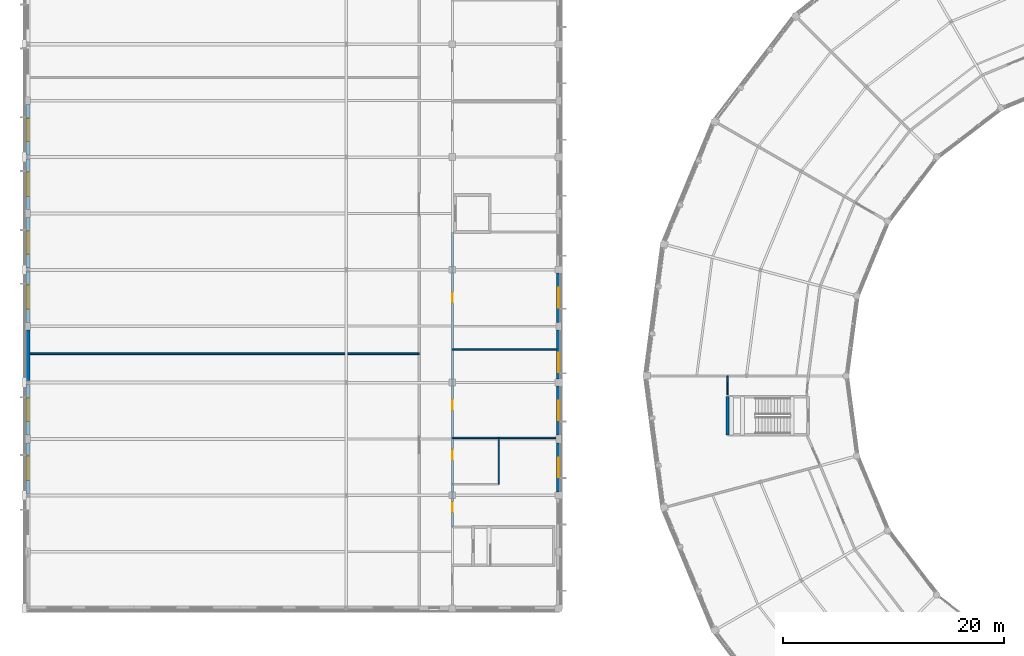
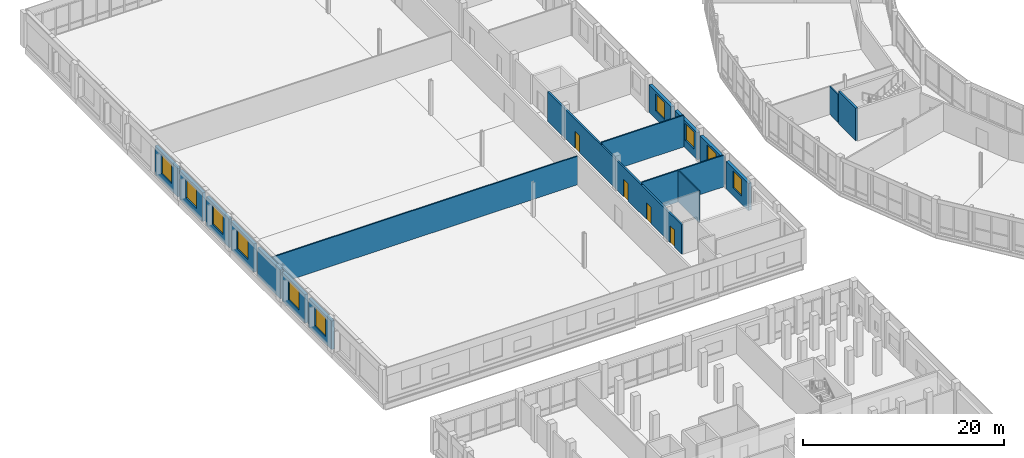
# One storey, part 160 of 185: 18 walls, 10 windows, 4 doors, 14 openings.
"""IFC4 building model written with IfcOpenShell, lengths in metres."""

from ifc_helpers import new_model, si_unit, direction, frame, frame_2d, origin, place, context, subcontext, project, spatial, rectangle, extrude, material, layer, layer_set, type_object, element, fill, save


model = new_model("IFC4")

# Units and contexts
model_context = context("Model", 3, precision=1e-05, world=origin(), true_north=direction((0.0, 1.0)))
body_context = subcontext(model_context, "Body", "Model", "MODEL_VIEW")
ifc_project = project(units=[si_unit("LENGTHUNIT", "METRE"), si_unit("AREAUNIT", "SQUARE_METRE"), si_unit("VOLUMEUNIT", "CUBIC_METRE"), si_unit("PLANEANGLEUNIT", "RADIAN"), si_unit("MASSUNIT", "GRAM", prefix="KILO")], contexts=[model_context])

# Site, building, storey
site_placement = place(None, origin())
site = spatial("IfcSite", under=ifc_project, at=site_placement, CompositionType="ELEMENT")
building_placement = place(site_placement, origin())
building = spatial("IfcBuilding", under=site, at=building_placement, Name="Vondelvale Polytechnic", CompositionType="ELEMENT")
storey_placement = place(building_placement, frame((0.0, 0.0, 9.60009765625)))
storey = spatial("IfcBuildingStorey", under=building, at=storey_placement, Name="L02", CompositionType="ELEMENT", Elevation=9.60009765625)

# Wall, opening, window
ifc_material_1 = material(Name="Amsterdam School iron-spot clinker clay brickwork", Category="masonry")
ifc_layer_1 = layer(ifc_material_1, 0.35009765625)
ifc_layer_set_1 = layer_set([ifc_layer_1], Name="WL-BRICK-350")
wall_type_1 = type_object("IfcWallType", Name="WL-BRICK-350", PredefinedType="SOLIDWALL", material=ifc_layer_set_1)
wall_1_placement = place(storey_placement, frame((0.0, 61.364501953125, 0.0), z_axis=(0.0, 0.0, 1.0), x_axis=(0.0, 1.0, 0.0)))
wall_1 = element("IfcWall", 1, at=wall_1_placement, inside=storey, type_object=wall_type_1, Name="L02 exterior masonry facade wall", PredefinedType="SOLIDWALL", context=body_context, shape_type="SweptSolid", body=[
    extrude(rectangle(XDim=4.58447265625, YDim=0.35009765625, at=frame_2d((2.292236328125, 0.0))), origin(), (0.0, 0.0, 1.0), 3.47998046875),
])
opening_1_placement = place(wall_1_placement, frame((1.1923828125, 0.0, 0.85009765625)))
opening_1 = element("IfcOpeningElement", 2, at=opening_1_placement, cuts=wall_1, Name="Opening WN-0082", PredefinedType="OPENING", context=body_context, shape_type="SweptSolid", body=[
    extrude(rectangle(XDim=2.199951171875, YDim=2.300048828125, at=frame_2d((1.10009765625, 1.14990234375))), frame((0.0, 0.18505859375, 0.0), z_axis=(0.0, -1.0, 0.0), x_axis=(1.0, 0.0, 0.0)), (0.0, 0.0, 1.0), 0.3701171875),
])
ifc_material_2 = material(Name="Double-glazed low-E insulated architectural glass", Category="glass")
window_type_1 = type_object("IfcWindowType", Name="WN-STUDIO-2200x2300", PartitioningType="SINGLE_PANEL", PredefinedType="WINDOW", material=ifc_material_2)
window_1_placement = place(opening_1_placement, origin())
window_1 = element("IfcWindow", 3, at=window_1_placement, inside=storey, type_object=window_type_1, Name="L02 double-glazed architectural window WN-0082", OverallHeight=2.300048828125, OverallWidth=2.199951171875, PartitioningType="SINGLE_PANEL", PredefinedType="WINDOW", context=body_context, shape_type="SweptSolid", body=[
    extrude(rectangle(XDim=2.199951171875, YDim=2.300048828125, at=frame_2d((1.10009765625, 1.14990234375))), frame((0.0, 0.030029296875, 0.0), z_axis=(0.0, -1.0, 0.0), x_axis=(1.0, 0.0, 0.0)), (0.0, 0.0, 1.0), 0.06005859375),
])
fill(opening_1, window_1)

wall_2_placement = place(storey_placement, frame((0.0, 66.65087890625, 0.0), z_axis=(0.0, 0.0, 1.0), x_axis=(0.0, 1.0, 0.0)))
wall_2 = element("IfcWall", 4, at=wall_2_placement, inside=storey, type_object=wall_type_1, Name="L02 exterior masonry facade wall", PredefinedType="SOLIDWALL", context=body_context, shape_type="SweptSolid", body=[
    extrude(rectangle(XDim=4.584716796875, YDim=0.35009765625, at=frame_2d((2.29248046875, 0.0))), origin(), (0.0, 0.0, 1.0), 3.47998046875),
])
opening_2_placement = place(wall_2_placement, frame((1.2421875, 0.0, 0.85009765625)))
opening_2 = element("IfcOpeningElement", 5, at=opening_2_placement, cuts=wall_2, Name="Opening WN-0083", PredefinedType="OPENING", context=body_context, shape_type="SweptSolid", body=[
    extrude(rectangle(XDim=2.10009765625, YDim=2.39990234375, at=frame_2d((1.050048828125, 1.199951171875))), frame((0.0, 0.18505859375, 0.0), z_axis=(0.0, -1.0, 0.0), x_axis=(1.0, 0.0, 0.0)), (0.0, 0.0, 1.0), 0.3701171875),
])
window_type_2 = type_object("IfcWindowType", Name="WN-STUDIO-2100x2400", PartitioningType="SINGLE_PANEL", PredefinedType="WINDOW", material=ifc_material_2)
window_2_placement = place(opening_2_placement, origin())
window_2 = element("IfcWindow", 6, at=window_2_placement, inside=storey, type_object=window_type_2, Name="L02 double-glazed architectural window WN-0083", OverallHeight=2.39990234375, OverallWidth=2.10009765625, PartitioningType="SINGLE_PANEL", PredefinedType="WINDOW", context=body_context, shape_type="SweptSolid", body=[
    extrude(rectangle(XDim=2.10009765625, YDim=2.39990234375, at=frame_2d((1.050048828125, 1.199951171875))), frame((0.0, 0.030029296875, 0.0), z_axis=(0.0, -1.0, 0.0), x_axis=(1.0, 0.0, 0.0)), (0.0, 0.0, 1.0), 0.06005859375),
])
fill(opening_2, window_2)

# Wall
wall_3_placement = place(storey_placement, frame((0.0, 71.564453125, 0.0), z_axis=(0.0, 0.0, 1.0), x_axis=(0.0, 1.0, 0.0)))
element("IfcWall", 7, at=wall_3_placement, inside=storey, type_object=wall_type_1, Name="L02 exterior masonry facade wall", PredefinedType="SOLIDWALL", context=body_context, shape_type="SweptSolid", body=[
    extrude(rectangle(XDim=4.58447265625, YDim=0.35009765625, at=frame_2d((2.292236328125, 0.0))), origin(), (0.0, 0.0, 1.0), 3.47998046875),
])

# Wall, opening, window
wall_4_placement = place(storey_placement, frame((0.0, 76.85107421875, 0.0), z_axis=(0.0, 0.0, 1.0), x_axis=(0.0, 1.0, 0.0)))
wall_4 = element("IfcWall", 8, at=wall_4_placement, inside=storey, type_object=wall_type_1, Name="L02 exterior masonry facade wall", PredefinedType="SOLIDWALL", context=body_context, shape_type="SweptSolid", body=[
    extrude(rectangle(XDim=4.58447265625, YDim=0.35009765625, at=frame_2d((2.292236328125, 0.0))), origin(), (0.0, 0.0, 1.0), 3.47998046875),
])
opening_3_placement = place(wall_4_placement, frame((1.1923828125, 0.0, 0.85009765625)))
opening_3 = element("IfcOpeningElement", 9, at=opening_3_placement, cuts=wall_4, Name="Opening WN-0084", PredefinedType="OPENING", context=body_context, shape_type="SweptSolid", body=[
    extrude(rectangle(XDim=2.199951171875, YDim=2.300048828125, at=frame_2d((1.10009765625, 1.14990234375))), frame((0.0, 0.18505859375, 0.0), z_axis=(0.0, -1.0, 0.0), x_axis=(1.0, 0.0, 0.0)), (0.0, 0.0, 1.0), 0.3701171875),
])
window_3_placement = place(opening_3_placement, origin())
window_3 = element("IfcWindow", 10, at=window_3_placement, inside=storey, type_object=window_type_1, Name="L02 double-glazed architectural window WN-0084", OverallHeight=2.300048828125, OverallWidth=2.199951171875, PartitioningType="SINGLE_PANEL", PredefinedType="WINDOW", context=body_context, shape_type="SweptSolid", body=[
    extrude(rectangle(XDim=2.199951171875, YDim=2.300048828125, at=frame_2d((1.10009765625, 1.14990234375))), frame((0.0, 0.030029296875, 0.0), z_axis=(0.0, -1.0, 0.0), x_axis=(1.0, 0.0, 0.0)), (0.0, 0.0, 1.0), 0.06005859375),
])
fill(opening_3, window_3)

wall_5_placement = place(storey_placement, frame((0.0, 81.764404296875, 0.0), z_axis=(0.0, 0.0, 1.0), x_axis=(0.0, 1.0, 0.0)))
wall_5 = element("IfcWall", 11, at=wall_5_placement, inside=storey, type_object=wall_type_1, Name="L02 exterior masonry facade wall", PredefinedType="SOLIDWALL", context=body_context, shape_type="SweptSolid", body=[
    extrude(rectangle(XDim=4.584716796875, YDim=0.35009765625, at=frame_2d((2.29248046875, 0.0))), origin(), (0.0, 0.0, 1.0), 3.47998046875),
])
opening_4_placement = place(wall_5_placement, frame((1.2421875, 0.0, 0.85009765625)))
opening_4 = element("IfcOpeningElement", 12, at=opening_4_placement, cuts=wall_5, Name="Opening WN-0085", PredefinedType="OPENING", context=body_context, shape_type="SweptSolid", body=[
    extrude(rectangle(XDim=2.10009765625, YDim=2.39990234375, at=frame_2d((1.050048828125, 1.199951171875))), frame((0.0, 0.18505859375, 0.0), z_axis=(0.0, -1.0, 0.0), x_axis=(1.0, 0.0, 0.0)), (0.0, 0.0, 1.0), 0.3701171875),
])
window_4_placement = place(opening_4_placement, origin())
window_4 = element("IfcWindow", 13, at=window_4_placement, inside=storey, type_object=window_type_2, Name="L02 double-glazed architectural window WN-0085", OverallHeight=2.39990234375, OverallWidth=2.10009765625, PartitioningType="SINGLE_PANEL", PredefinedType="WINDOW", context=body_context, shape_type="SweptSolid", body=[
    extrude(rectangle(XDim=2.10009765625, YDim=2.39990234375, at=frame_2d((1.050048828125, 1.199951171875))), frame((0.0, 0.030029296875, 0.0), z_axis=(0.0, -1.0, 0.0), x_axis=(1.0, 0.0, 0.0)), (0.0, 0.0, 1.0), 0.06005859375),
])
fill(opening_4, window_4)

wall_6_placement = place(storey_placement, frame((0.0, 87.051025390625, 0.0), z_axis=(0.0, 0.0, 1.0), x_axis=(0.0, 1.0, 0.0)))
wall_6 = element("IfcWall", 14, at=wall_6_placement, inside=storey, type_object=wall_type_1, Name="L02 exterior masonry facade wall", PredefinedType="SOLIDWALL", context=body_context, shape_type="SweptSolid", body=[
    extrude(rectangle(XDim=4.58447265625, YDim=0.35009765625, at=frame_2d((2.292236328125, 0.0))), origin(), (0.0, 0.0, 1.0), 3.47998046875),
])
opening_5_placement = place(wall_6_placement, frame((1.1923828125, 0.0, 0.85009765625)))
opening_5 = element("IfcOpeningElement", 15, at=opening_5_placement, cuts=wall_6, Name="Opening WN-0086", PredefinedType="OPENING", context=body_context, shape_type="SweptSolid", body=[
    extrude(rectangle(XDim=2.199951171875, YDim=2.300048828125, at=frame_2d((1.10009765625, 1.14990234375))), frame((0.0, 0.18505859375, 0.0), z_axis=(0.0, -1.0, 0.0), x_axis=(1.0, 0.0, 0.0)), (0.0, 0.0, 1.0), 0.3701171875),
])
window_5_placement = place(opening_5_placement, origin())
window_5 = element("IfcWindow", 16, at=window_5_placement, inside=storey, type_object=window_type_1, Name="L02 double-glazed architectural window WN-0086", OverallHeight=2.300048828125, OverallWidth=2.199951171875, PartitioningType="SINGLE_PANEL", PredefinedType="WINDOW", context=body_context, shape_type="SweptSolid", body=[
    extrude(rectangle(XDim=2.199951171875, YDim=2.300048828125, at=frame_2d((1.10009765625, 1.14990234375))), frame((0.0, 0.030029296875, 0.0), z_axis=(0.0, -1.0, 0.0), x_axis=(1.0, 0.0, 0.0)), (0.0, 0.0, 1.0), 0.06005859375),
])
fill(opening_5, window_5)

wall_7_placement = place(storey_placement, frame((0.0, 91.964599609375, 0.0), z_axis=(0.0, 0.0, 1.0), x_axis=(0.0, 1.0, 0.0)))
wall_7 = element("IfcWall", 17, at=wall_7_placement, inside=storey, type_object=wall_type_1, Name="L02 exterior masonry facade wall", PredefinedType="SOLIDWALL", context=body_context, shape_type="SweptSolid", body=[
    extrude(rectangle(XDim=4.58447265625, YDim=0.35009765625, at=frame_2d((2.292236328125, 0.0))), origin(), (0.0, 0.0, 1.0), 3.47998046875),
])
opening_6_placement = place(wall_7_placement, frame((1.2421875, 0.0, 0.85009765625)))
opening_6 = element("IfcOpeningElement", 18, at=opening_6_placement, cuts=wall_7, Name="Opening WN-0087", PredefinedType="OPENING", context=body_context, shape_type="SweptSolid", body=[
    extrude(rectangle(XDim=2.10009765625, YDim=2.39990234375, at=frame_2d((1.050048828125, 1.199951171875))), frame((0.0, 0.18505859375, 0.0), z_axis=(0.0, -1.0, 0.0), x_axis=(1.0, 0.0, 0.0)), (0.0, 0.0, 1.0), 0.3701171875),
])
window_6_placement = place(opening_6_placement, origin())
window_6 = element("IfcWindow", 19, at=window_6_placement, inside=storey, type_object=window_type_2, Name="L02 double-glazed architectural window WN-0087", OverallHeight=2.39990234375, OverallWidth=2.10009765625, PartitioningType="SINGLE_PANEL", PredefinedType="WINDOW", context=body_context, shape_type="SweptSolid", body=[
    extrude(rectangle(XDim=2.10009765625, YDim=2.39990234375, at=frame_2d((1.050048828125, 1.199951171875))), frame((0.0, 0.030029296875, 0.0), z_axis=(0.0, -1.0, 0.0), x_axis=(1.0, 0.0, 0.0)), (0.0, 0.0, 1.0), 0.06005859375),
])
fill(opening_6, window_6)

wall_8_placement = place(storey_placement, frame((48.0, 65.948974609375, 0.0), z_axis=(0.0, 0.0, 1.0), x_axis=(0.0, -1.0, 0.0)))
wall_8 = element("IfcWall", 20, at=wall_8_placement, inside=storey, type_object=wall_type_1, Name="L02 exterior masonry facade wall", PredefinedType="SOLIDWALL", context=body_context, shape_type="SweptSolid", body=[
    extrude(rectangle(XDim=4.447998046875, YDim=0.35009765625, at=frame_2d((2.22412109375, 0.0))), origin(), (0.0, 0.0, 1.0), 3.31982421875),
])
opening_7_placement = place(wall_8_placement, frame((1.34912109375, 0.0, 0.949951171875)))
opening_7 = element("IfcOpeningElement", 21, at=opening_7_placement, cuts=wall_8, Name="Opening WN-0094", PredefinedType="OPENING", context=body_context, shape_type="SweptSolid", body=[
    extrude(rectangle(XDim=1.75, YDim=2.050048828125, at=frame_2d((0.875, 1.02490234375))), frame((0.0, 0.18505859375, 0.0), z_axis=(0.0, -1.0, 0.0), x_axis=(1.0, 0.0, 0.0)), (0.0, 0.0, 1.0), 0.3701171875),
])
window_type_3 = type_object("IfcWindowType", Name="WN-LAB-1750x2050", PartitioningType="SINGLE_PANEL", PredefinedType="WINDOW", material=ifc_material_2)
window_7_placement = place(opening_7_placement, origin())
window_7 = element("IfcWindow", 22, at=window_7_placement, inside=storey, type_object=window_type_3, Name="L02 double-glazed architectural window WN-0094", OverallHeight=2.050048828125, OverallWidth=1.75, PartitioningType="SINGLE_PANEL", PredefinedType="WINDOW", context=body_context, shape_type="SweptSolid", body=[
    extrude(rectangle(XDim=1.75, YDim=2.050048828125, at=frame_2d((0.875, 1.02490234375))), frame((0.0, 0.030029296875, 0.0), z_axis=(0.0, -1.0, 0.0), x_axis=(1.0, 0.0, 0.0)), (0.0, 0.0, 1.0), 0.06005859375),
])
fill(opening_7, window_7)

wall_9_placement = place(storey_placement, frame((48.0, 71.09912109375, 0.0), z_axis=(0.0, 0.0, 1.0), x_axis=(0.0, -1.0, 0.0)))
wall_9 = element("IfcWall", 23, at=wall_9_placement, inside=storey, type_object=wall_type_1, Name="L02 exterior masonry facade wall", PredefinedType="SOLIDWALL", context=body_context, shape_type="SweptSolid", body=[
    extrude(rectangle(XDim=4.4482421875, YDim=0.35009765625, at=frame_2d((2.22412109375, 0.0))), origin(), (0.0, 0.0, 1.0), 3.31982421875),
])
opening_8_placement = place(wall_9_placement, frame((1.323974609375, 0.0, 0.949951171875)))
opening_8 = element("IfcOpeningElement", 24, at=opening_8_placement, cuts=wall_9, Name="Opening WN-0095", PredefinedType="OPENING", context=body_context, shape_type="SweptSolid", body=[
    extrude(rectangle(XDim=1.800048828125, YDim=2.10009765625, at=frame_2d((0.89990234375, 1.050048828125))), frame((0.0, 0.18505859375, 0.0), z_axis=(0.0, -1.0, 0.0), x_axis=(1.0, 0.0, 0.0)), (0.0, 0.0, 1.0), 0.3701171875),
])
window_type_4 = type_object("IfcWindowType", Name="WN-LAB-1800x2100", PartitioningType="SINGLE_PANEL", PredefinedType="WINDOW", material=ifc_material_2)
window_8_placement = place(opening_8_placement, origin())
window_8 = element("IfcWindow", 25, at=window_8_placement, inside=storey, type_object=window_type_4, Name="L02 double-glazed architectural window WN-0095", OverallHeight=2.10009765625, OverallWidth=1.800048828125, PartitioningType="SINGLE_PANEL", PredefinedType="WINDOW", context=body_context, shape_type="SweptSolid", body=[
    extrude(rectangle(XDim=1.800048828125, YDim=2.10009765625, at=frame_2d((0.89990234375, 1.050048828125))), frame((0.0, 0.030029296875, 0.0), z_axis=(0.0, -1.0, 0.0), x_axis=(1.0, 0.0, 0.0)), (0.0, 0.0, 1.0), 0.06005859375),
])
fill(opening_8, window_8)

wall_10_placement = place(storey_placement, frame((48.0, 76.14892578125, 0.0), z_axis=(0.0, 0.0, 1.0), x_axis=(0.0, -1.0, 0.0)))
wall_10 = element("IfcWall", 26, at=wall_10_placement, inside=storey, type_object=wall_type_1, Name="L02 exterior masonry facade wall", PredefinedType="SOLIDWALL", context=body_context, shape_type="SweptSolid", body=[
    extrude(rectangle(XDim=4.447998046875, YDim=0.35009765625, at=frame_2d((2.22412109375, 0.0))), origin(), (0.0, 0.0, 1.0), 3.31982421875),
])
opening_9_placement = place(wall_10_placement, frame((2.069091796875, 0.0, 0.949951171875)))
opening_9 = element("IfcOpeningElement", 27, at=opening_9_placement, cuts=wall_10, Name="Opening WN-0096", PredefinedType="OPENING", context=body_context, shape_type="SweptSolid", body=[
    extrude(rectangle(XDim=1.75, YDim=2.050048828125, at=frame_2d((0.875, 1.02490234375))), frame((0.0, 0.18505859375, 0.0), z_axis=(0.0, -1.0, 0.0), x_axis=(1.0, 0.0, 0.0)), (0.0, 0.0, 1.0), 0.3701171875),
])
window_9_placement = place(opening_9_placement, origin())
window_9 = element("IfcWindow", 28, at=window_9_placement, inside=storey, type_object=window_type_3, Name="L02 double-glazed architectural window WN-0096", OverallHeight=2.050048828125, OverallWidth=1.75, PartitioningType="SINGLE_PANEL", PredefinedType="WINDOW", context=body_context, shape_type="SweptSolid", body=[
    extrude(rectangle(XDim=1.75, YDim=2.050048828125, at=frame_2d((0.875, 1.02490234375))), frame((0.0, 0.030029296875, 0.0), z_axis=(0.0, -1.0, 0.0), x_axis=(1.0, 0.0, 0.0)), (0.0, 0.0, 1.0), 0.06005859375),
])
fill(opening_9, window_9)

wall_11_placement = place(storey_placement, frame((48.0, 81.299072265625, 0.0), z_axis=(0.0, 0.0, 1.0), x_axis=(0.0, -1.0, 0.0)))
wall_11 = element("IfcWall", 29, at=wall_11_placement, inside=storey, type_object=wall_type_1, Name="L02 exterior masonry facade wall", PredefinedType="SOLIDWALL", context=body_context, shape_type="SweptSolid", body=[
    extrude(rectangle(XDim=4.447998046875, YDim=0.35009765625, at=frame_2d((2.22412109375, 0.0))), origin(), (0.0, 0.0, 1.0), 3.31982421875),
])
opening_10_placement = place(wall_11_placement, frame((1.323974609375, 0.0, 0.949951171875)))
opening_10 = element("IfcOpeningElement", 30, at=opening_10_placement, cuts=wall_11, Name="Opening WN-0097", PredefinedType="OPENING", context=body_context, shape_type="SweptSolid", body=[
    extrude(rectangle(XDim=1.800048828125, YDim=2.10009765625, at=frame_2d((0.89990234375, 1.050048828125))), frame((0.0, 0.18505859375, 0.0), z_axis=(0.0, -1.0, 0.0), x_axis=(1.0, 0.0, 0.0)), (0.0, 0.0, 1.0), 0.3701171875),
])
window_10_placement = place(opening_10_placement, origin())
window_10 = element("IfcWindow", 31, at=window_10_placement, inside=storey, type_object=window_type_4, Name="L02 double-glazed architectural window WN-0097", OverallHeight=2.10009765625, OverallWidth=1.800048828125, PartitioningType="SINGLE_PANEL", PredefinedType="WINDOW", context=body_context, shape_type="SweptSolid", body=[
    extrude(rectangle(XDim=1.800048828125, YDim=2.10009765625, at=frame_2d((0.89990234375, 1.050048828125))), frame((0.0, 0.030029296875, 0.0), z_axis=(0.0, -1.0, 0.0), x_axis=(1.0, 0.0, 0.0)), (0.0, 0.0, 1.0), 0.06005859375),
])
fill(opening_10, window_10)

# Wall
ifc_material_3 = material(Name="Concrete N40 (f'c = 40 MPa)", Category="concrete")
ifc_layer_2 = layer(ifc_material_3, 0.25)
ifc_layer_set_2 = layer_set([ifc_layer_2], Name="WL-CORE-250")
wall_type_2 = type_object("IfcWallType", Name="WL-CORE-250", PredefinedType="SOLIDWALL", material=ifc_layer_set_2)
wall_12_placement = place(storey_placement, frame((63.27490234375, 70.125, 0.0), z_axis=(0.0, 0.0, 1.0), x_axis=(0.0, -1.0, 0.0)))
element("IfcWall", 32, at=wall_12_placement, inside=storey, type_object=wall_type_2, Name="L02 ST-10 reinforced concrete stair core wall", PredefinedType="SOLIDWALL", context=body_context, shape_type="SweptSolid", body=[
    extrude(rectangle(XDim=3.449951171875, YDim=0.25, at=frame_2d((1.72509765625, 0.0))), origin(), (0.0, 0.0, 1.0), 3.949951171875),
])

# Wall, openings, doors
ifc_material_4 = material(Name="Fire-rated double-layer plasterboard stud partition")
ifc_layer_3 = layer(ifc_material_4, 0.199951171875)
ifc_layer_set_3 = layer_set([ifc_layer_3], Name="WL-CORR-200")
wall_type_3 = type_object("IfcWallType", Name="WL-CORR-200", PredefinedType="PARTITIONING", material=ifc_layer_set_3)
wall_13_placement = place(storey_placement, frame((38.39990234375, 58.324951171875, 0.0), z_axis=(0.0, 0.0, 1.0), x_axis=(0.0, 1.0, 0.0)))
wall_13 = element("IfcWall", 33, at=wall_13_placement, inside=storey, type_object=wall_type_3, Name="L02 interior acoustic partition", PredefinedType="PARTITIONING", context=body_context, shape_type="SweptSolid", body=[
    extrude(rectangle(XDim=26.699951171875, YDim=0.199951171875, at=frame_2d((13.35009765625, 0.0))), origin(), (0.0, 0.0, 1.0), 3.559814453125),
])
opening_11_placement = place(wall_13_placement, frame((1.35009765625, 0.0, 0.0)))
opening_11 = element("IfcOpeningElement", 34, at=opening_11_placement, cuts=wall_13, Name="Opening ID-0121", PredefinedType="OPENING", context=body_context, shape_type="SweptSolid", body=[
    extrude(rectangle(XDim=0.919921875, YDim=2.10009765625, at=frame_2d((0.4599609375, 1.050048828125))), frame((0.0, 0.10986328125, 0.0), z_axis=(0.0, -1.0, 0.0), x_axis=(1.0, 0.0, 0.0)), (0.0, 0.0, 1.0), 0.219970703125),
])
opening_12_placement = place(wall_13_placement, frame((6.080078125, 0.0, 0.0)))
opening_12 = element("IfcOpeningElement", 35, at=opening_12_placement, cuts=wall_13, Name="Opening ID-0122", PredefinedType="OPENING", context=body_context, shape_type="SweptSolid", body=[
    extrude(rectangle(XDim=0.89990234375, YDim=2.050048828125, at=frame_2d((0.449951171875, 1.02490234375))), frame((0.0, 0.10986328125, 0.0), z_axis=(0.0, -1.0, 0.0), x_axis=(1.0, 0.0, 0.0)), (0.0, 0.0, 1.0), 0.219970703125),
])
opening_13_placement = place(wall_13_placement, frame((10.60009765625, 0.0, 0.0)))
opening_13 = element("IfcOpeningElement", 36, at=opening_13_placement, cuts=wall_13, Name="Opening ID-0123", PredefinedType="OPENING", context=body_context, shape_type="SweptSolid", body=[
    extrude(rectangle(XDim=0.919921875, YDim=2.10009765625, at=frame_2d((0.4599609375, 1.050048828125))), frame((0.0, 0.10986328125, 0.0), z_axis=(0.0, -1.0, 0.0), x_axis=(1.0, 0.0, 0.0)), (0.0, 0.0, 1.0), 0.219970703125),
])
opening_14_placement = place(wall_13_placement, frame((20.300048828125, 0.0, 0.0)))
opening_14 = element("IfcOpeningElement", 37, at=opening_14_placement, cuts=wall_13, Name="Opening ID-0124", PredefinedType="OPENING", context=body_context, shape_type="SweptSolid", body=[
    extrude(rectangle(XDim=0.919921875, YDim=2.10009765625, at=frame_2d((0.4599609375, 1.050048828125))), frame((0.0, 0.10986328125, 0.0), z_axis=(0.0, -1.0, 0.0), x_axis=(1.0, 0.0, 0.0)), (0.0, 0.0, 1.0), 0.219970703125),
])
ifc_material_5 = material(Name="Fire-rated solid Tasmanian oak joinery")
door_type_1 = type_object("IfcDoorType", Name="DR-INT-0920x2100", OperationType="SINGLE_SWING_LEFT", PredefinedType="DOOR", material=ifc_material_5)
door_1_placement = place(opening_11_placement, origin())
door_1 = element("IfcDoor", 38, at=door_1_placement, inside=storey, type_object=door_type_1, Name="L02 interior room door ID-0121", OperationType="SINGLE_SWING_LEFT", OverallHeight=2.10009765625, OverallWidth=0.919921875, PredefinedType="DOOR", context=body_context, shape_type="SweptSolid", body=[
    extrude(rectangle(XDim=0.919921875, YDim=2.10009765625, at=frame_2d((0.4599609375, 1.050048828125))), frame((0.0, 0.02490234375, 0.0), z_axis=(0.0, -1.0, 0.0), x_axis=(1.0, 0.0, 0.0)), (0.0, 0.0, 1.0), 0.050048828125),
])
fill(opening_11, door_1)
door_2_placement = place(opening_13_placement, origin())
door_2 = element("IfcDoor", 39, at=door_2_placement, inside=storey, type_object=door_type_1, Name="L02 interior room door ID-0123", OperationType="SINGLE_SWING_LEFT", OverallHeight=2.10009765625, OverallWidth=0.919921875, PredefinedType="DOOR", context=body_context, shape_type="SweptSolid", body=[
    extrude(rectangle(XDim=0.919921875, YDim=2.10009765625, at=frame_2d((0.4599609375, 1.050048828125))), frame((0.0, 0.02490234375, 0.0), z_axis=(0.0, -1.0, 0.0), x_axis=(1.0, 0.0, 0.0)), (0.0, 0.0, 1.0), 0.050048828125),
])
fill(opening_13, door_2)
door_3_placement = place(opening_14_placement, origin())
door_3 = element("IfcDoor", 40, at=door_3_placement, inside=storey, type_object=door_type_1, Name="L02 interior room door ID-0124", OperationType="SINGLE_SWING_RIGHT", OverallHeight=2.10009765625, OverallWidth=0.919921875, PredefinedType="DOOR", context=body_context, shape_type="SweptSolid", body=[
    extrude(rectangle(XDim=0.919921875, YDim=2.10009765625, at=frame_2d((0.4599609375, 1.050048828125))), frame((0.0, 0.02490234375, 0.0), z_axis=(0.0, -1.0, 0.0), x_axis=(1.0, 0.0, 0.0)), (0.0, 0.0, 1.0), 0.050048828125),
])
fill(opening_14, door_3)
door_type_2 = type_object("IfcDoorType", Name="DR-WC-0900x2050", OperationType="SINGLE_SWING_RIGHT", PredefinedType="DOOR", material=ifc_material_5)
door_4_placement = place(opening_12_placement, origin())
door_4 = element("IfcDoor", 41, at=door_4_placement, inside=storey, type_object=door_type_2, Name="L02 interior room door ID-0122", OperationType="SINGLE_SWING_RIGHT", OverallHeight=2.050048828125, OverallWidth=0.89990234375, PredefinedType="DOOR", context=body_context, shape_type="SweptSolid", body=[
    extrude(rectangle(XDim=0.89990234375, YDim=2.050048828125, at=frame_2d((0.449951171875, 1.02490234375))), frame((0.0, 0.02490234375, 0.0), z_axis=(0.0, -1.0, 0.0), x_axis=(1.0, 0.0, 0.0)), (0.0, 0.0, 1.0), 0.050048828125),
])
fill(opening_12, door_4)

# Walls
ifc_layer_4 = layer(ifc_material_4, 0.1201171875)
ifc_layer_set_4 = layer_set([ifc_layer_4], Name="WL-INT-120")
wall_type_4 = type_object("IfcWallType", Name="WL-INT-120", PredefinedType="PARTITIONING", material=ifc_layer_set_4)
wall_14_placement = place(storey_placement, frame((42.60009765625, 62.199951171875, 0.0), z_axis=(0.0, 0.0, 1.0), x_axis=(0.0, 1.0, 0.0)))
element("IfcWall", 42, at=wall_14_placement, inside=storey, type_object=wall_type_4, Name="L02 interior acoustic partition", PredefinedType="PARTITIONING", context=body_context, shape_type="SweptSolid", body=[
    extrude(rectangle(XDim=4.199951171875, YDim=0.1201171875, at=frame_2d((2.10009765625, 0.0))), origin(), (0.0, 0.0, 1.0), 3.849853515625),
])
wall_15_placement = place(storey_placement, frame((63.277099609375, 70.2900390625, 0.0), z_axis=(0.0, 0.0, 1.0), x_axis=(0.013419693814, 0.999909951855, 0.0)))
element("IfcWall", 43, at=wall_15_placement, inside=storey, type_object=wall_type_4, Name="L02 interior acoustic partition", PredefinedType="PARTITIONING", context=body_context, shape_type="SweptSolid", body=[
    extrude(rectangle(XDim=1.710205078125, YDim=0.1201171875, at=frame_2d((0.85498046875, 0.0))), origin(), (0.0, 0.0, 1.0), 3.39697265625),
])
ifc_layer_5 = layer(ifc_material_4, 0.14990234375)
ifc_layer_set_5 = layer_set([ifc_layer_5], Name="WL-INT-150")
wall_type_5 = type_object("IfcWallType", Name="WL-INT-150", PredefinedType="PARTITIONING", material=ifc_layer_set_5)
wall_16_placement = place(storey_placement, frame((0.14990234375, 74.0, 0.0), z_axis=(0.0, 0.0, 1.0), x_axis=(1.0, 0.0, 0.0)))
element("IfcWall", 44, at=wall_16_placement, inside=storey, type_object=wall_type_5, Name="L02 interior acoustic partition", PredefinedType="PARTITIONING", context=body_context, shape_type="SweptSolid", body=[
    extrude(rectangle(XDim=35.25, YDim=0.14990234375, at=frame_2d((17.625, 0.0))), origin(), (0.0, 0.0, 1.0), 3.47998046875),
])
for number, where, z_axis, x_axis, name in (
    (45, (38.39990234375, 66.39990234375, 0.0), (0.0, 0.0, 1.0), (1.0, 0.0, 0.0), "L02 interior acoustic partition"),
    (46, (38.39990234375, 74.39990234375, 0.0), (0.0, 0.0, 1.0), (1.0, 0.0, 0.0), "L02 interior acoustic partition"),
):
    element("IfcWall", number, at=place(storey_placement, frame(where, z_axis=z_axis, x_axis=x_axis)), inside=storey, type_object=wall_type_5, Name=name, PredefinedType="PARTITIONING", context=body_context, shape_type="SweptSolid", body=[
        extrude(rectangle(XDim=9.4501953125, YDim=0.14990234375, at=frame_2d((4.72509765625, 0.0))), origin(), (0.0, 0.0, 1.0), 3.849853515625),
    ])

save(model, "model.ifc")
